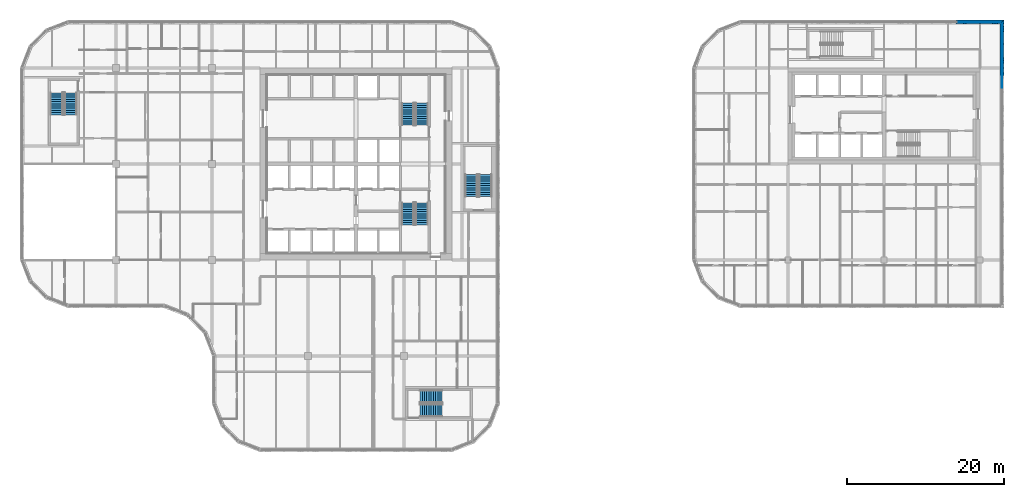
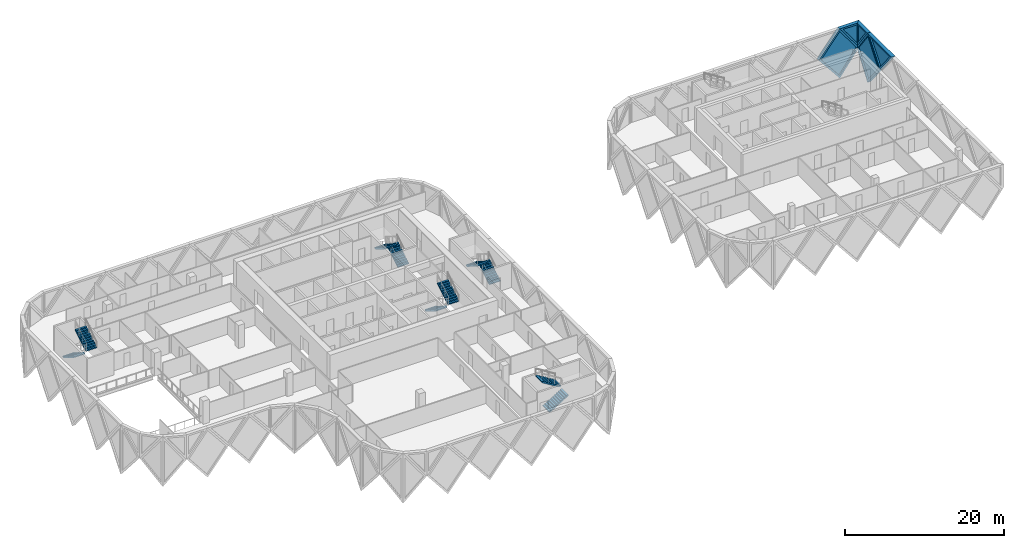
# One storey, part 21 of 24: 10 stair flights, 5 plates, 5 walls, 5 openings, 5 elements without a shape of their own.
"""IFC4 building model written with IfcOpenShell, lengths in metres."""

from ifc_helpers import new_model, si_unit, direction, frame, origin, place, context, subcontext, project, spatial, polyline, outline, extrude, faceted_brep, source, transform, mapped, material, layer, layer_set, type_object, element, fill, aggregate, save


model = new_model("IFC4")

# Units and contexts
model_context = context("Model", 3, precision=1e-05, world=origin(), true_north=direction((0.0, 1.0)))
body_context = subcontext(model_context, "Body", "Model", "MODEL_VIEW")
ifc_project = project(units=[si_unit("LENGTHUNIT", "METRE"), si_unit("AREAUNIT", "SQUARE_METRE"), si_unit("VOLUMEUNIT", "CUBIC_METRE"), si_unit("PLANEANGLEUNIT", "RADIAN"), si_unit("MASSUNIT", "GRAM", prefix="KILO")], contexts=[model_context])

# Site, building, storey
site_placement = place(None, origin())
site = spatial("IfcSite", under=ifc_project, at=site_placement, CompositionType="ELEMENT")
building_placement = place(site_placement, origin())
building = spatial("IfcBuilding", under=site, at=building_placement, Name="Tessera Gate Towers", CompositionType="ELEMENT")
storey_placement = place(building_placement, frame((0.0, 0.0, 102.800048828125)))
storey = spatial("IfcBuildingStorey", under=building, at=storey_placement, Name="L25", CompositionType="ELEMENT", Elevation=102.800048828125)

# Wall, opening, plate
ifc_material_1 = material(Name="Precast concrete C60/75 white", Category="concrete")
ifc_layer_1 = layer(ifc_material_1, 0.5)
ifc_layer_set_1 = layer_set([ifc_layer_1], Name="TS2 half tessera")
wall_type_1 = type_object("IfcWallType", Name="TS2 half tessera", PredefinedType="SOLIDWALL", material=ifc_layer_set_1)
shared_shape_1 = source(origin(), body_context, "Body", "SweptSolid", [
    extrude(outline(polyline([(3.050048828125, 0.0), (6.10009765625, 3.800048828125), (0.0, 3.800048828125), (3.050048828125, 0.0)])), frame((0.0, 0.25, 0.0), z_axis=(0.0, -1.0, 0.0), x_axis=(1.0, 0.0, 0.0)), (0.0, 0.0, 1.0), 0.5),
])
wall_1_placement = place(storey_placement, frame((124.800048828125, 45.75, 0.0), z_axis=(0.0, 0.0, 1.0), x_axis=(0.0, 1.0, 0.0)))
wall_1 = element("IfcWall", 1, at=wall_1_placement, inside=storey, type_object=wall_type_1, Name="Precast half tessera T2 TS2-0137", PredefinedType="SOLIDWALL", context=body_context, shape_type="MappedRepresentation", body=[
    mapped(shared_shape_1, transform((0.0, 0.0, 0.0), scale=1.0)),
])
shared_shape_2 = source(origin(), body_context, "Body", "SweptSolid", [
    extrude(outline(polyline([(3.050048828125, 0.3994140625), (5.578857421875, 3.550048828125), (0.521240234375, 3.550048828125), (3.050048828125, 0.3994140625)])), frame((0.0, 0.260009765625, 0.0), z_axis=(0.0, -1.0, 0.0), x_axis=(1.0, 0.0, 0.0)), (0.0, 0.0, 1.0), 0.52001953125),
])
opening_1_placement = place(wall_1_placement, origin())
opening_1 = element("IfcOpeningElement", 2, at=opening_1_placement, cuts=wall_1, Name="Opening T2-PL1-0243", PredefinedType="OPENING", context=body_context, shape_type="MappedRepresentation", body=[
    mapped(shared_shape_2, transform((0.0, 0.0, 0.0), scale=1.0)),
])
ifc_material_2 = material(Name="Low-e laminated glass", Category="glass")
ifc_layer_2 = layer(ifc_material_2, 0.06005859375)
ifc_layer_set_2 = layer_set([ifc_layer_2], Name="PL1 triangular pane")
plate_type_1 = type_object("IfcPlateType", Name="PL1 triangular pane", PredefinedType="SHEET", material=ifc_layer_set_2)
shared_shape_3 = source(origin(), body_context, "Body", "SweptSolid", [
    extrude(outline(polyline([(3.050048828125, 0.3994140625), (5.578857421875, 3.550048828125), (0.521240234375, 3.550048828125), (3.050048828125, 0.3994140625)])), frame((0.0, 0.030029296875, 0.0), z_axis=(0.0, -1.0, 0.0), x_axis=(1.0, 0.0, 0.0)), (0.0, 0.0, 1.0), 0.06005859375),
])
plate_1_placement = place(opening_1_placement, origin())
plate_1 = element("IfcPlate", 3, at=plate_1_placement, inside=storey, type_object=plate_type_1, Name="Glass pane T2 PL1-0243", PredefinedType="SHEET", context=body_context, shape_type="MappedRepresentation", body=[
    mapped(shared_shape_3, transform((0.0, 0.0, 0.0), scale=1.0)),
])
fill(opening_1, plate_1)

ifc_material_3 = material(Name="Precast concrete C60/75 white", Category="concrete")
ifc_layer_3 = layer(ifc_material_3, 0.5)
ifc_layer_set_3 = layer_set([ifc_layer_3], Name="TS1 tessera")
wall_type_2 = type_object("IfcWallType", Name="TS1 tessera", PredefinedType="SOLIDWALL", material=ifc_layer_set_3)
shared_shape_4 = source(origin(), body_context, "Body", "Brep", [
    faceted_brep([(3.050048828125, -0.25, 0.0), (5.85009765625, -0.25, 3.800048828125), (3.050048828125, -0.25, 7.60009765625), (0.0, -0.25, 3.800048828125), (0.0, 0.25, 3.800048828125), (3.050048828125, 0.25, 7.60009765625), (5.60009765625, 0.25, 4.139404296875), (5.60009765625, 0.25, 3.460693359375), (3.050048828125, 0.25, 0.0), (5.85009765625, 0.0, 3.800048828125)], [[[0, 1, 2, 3]], [[4, 5, 6, 7, 8]], [[8, 7, 9, 1, 0]], [[6, 5, 2, 1, 9]], [[5, 4, 3, 2]], [[4, 8, 0, 3]], [[9, 7, 6]]]),
])
wall_2_placement = place(storey_placement, frame((124.800048828125, 48.800048828125, -3.800048828125), z_axis=(0.0, 0.0, 1.0), x_axis=(0.0, 1.0, 0.0)))
wall_2 = element("IfcWall", 4, at=wall_2_placement, inside=storey, type_object=wall_type_2, Name="Precast tessera T2 TS1-0316", PredefinedType="SOLIDWALL", context=body_context, shape_type="MappedRepresentation", body=[
    mapped(shared_shape_4, transform((0.0, 0.0, 0.0), scale=1.0)),
])
shared_shape_5 = source(origin(), body_context, "Body", "SweptSolid", [
    extrude(outline(polyline([(3.04150390625, 0.409912109375), (5.53955078125, 3.800048828125), (3.04150390625, 7.18994140625), (0.320556640625, 3.800048828125), (3.04150390625, 0.409912109375)])), frame((0.0, 0.260009765625, 0.0), z_axis=(0.0, -1.0, 0.0), x_axis=(1.0, 0.0, 0.0)), (0.0, 0.0, 1.0), 0.52001953125),
])
opening_2_placement = place(wall_2_placement, origin())
opening_2 = element("IfcOpeningElement", 5, at=opening_2_placement, cuts=wall_2, Name="Opening T2-PL2-0586", PredefinedType="OPENING", context=body_context, shape_type="MappedRepresentation", body=[
    mapped(shared_shape_5, transform((0.0, 0.0, 0.0), scale=1.0)),
])
ifc_material_4 = material(Name="Low-e laminated glass", Category="glass")
ifc_layer_4 = layer(ifc_material_4, 0.06005859375)
ifc_layer_set_4 = layer_set([ifc_layer_4], Name="PL2 rhombic pane")
plate_type_2 = type_object("IfcPlateType", Name="PL2 rhombic pane", PredefinedType="SHEET", material=ifc_layer_set_4)
shared_shape_6 = source(origin(), body_context, "Body", "SweptSolid", [
    extrude(outline(polyline([(3.04150390625, 0.409912109375), (5.53955078125, 3.800048828125), (3.04150390625, 7.18994140625), (0.320556640625, 3.800048828125), (3.04150390625, 0.409912109375)])), frame((0.0, 0.030029296875, 0.0), z_axis=(0.0, -1.0, 0.0), x_axis=(1.0, 0.0, 0.0)), (0.0, 0.0, 1.0), 0.06005859375),
])
plate_2_placement = place(opening_2_placement, origin())
plate_2 = element("IfcPlate", 6, at=plate_2_placement, inside=storey, type_object=plate_type_2, Name="Glass pane T2 PL2-0586", PredefinedType="SHEET", context=body_context, shape_type="MappedRepresentation", body=[
    mapped(shared_shape_6, transform((0.0, 0.0, 0.0), scale=1.0)),
])
fill(opening_2, plate_2)

shared_shape_7 = source(origin(), body_context, "Body", "Brep", [
    faceted_brep([(2.800048828125, -0.25, 0.0), (5.85009765625, -0.25, 3.800048828125), (2.800048828125, -0.25, 7.60009765625), (0.0, -0.25, 3.800048828125), (0.25, 0.25, 4.139404296875), (2.800048828125, 0.25, 7.60009765625), (5.85009765625, 0.25, 3.800048828125), (2.800048828125, 0.25, 0.0), (0.25, 0.25, 3.460693359375), (0.0, 0.0, 3.800048828125)], [[[0, 1, 2, 3]], [[4, 5, 6, 7, 8]], [[7, 6, 1, 0]], [[6, 5, 2, 1]], [[5, 4, 9, 3, 2]], [[8, 7, 0, 3, 9]], [[8, 9, 4]]]),
])
wall_3_placement = place(storey_placement, frame((124.800048828125, 54.64990234375, -3.800048828125), z_axis=(0.0, 0.0, 1.0), x_axis=(-1.0, 0.0, 0.0)))
wall_3 = element("IfcWall", 7, at=wall_3_placement, inside=storey, type_object=wall_type_2, Name="Precast tessera T2 TS1-0317", PredefinedType="SOLIDWALL", context=body_context, shape_type="MappedRepresentation", body=[
    mapped(shared_shape_7, transform((0.0, 0.0, 0.0), scale=1.0)),
])
shared_shape_8 = source(origin(), body_context, "Body", "SweptSolid", [
    extrude(outline(polyline([(2.808349609375, 0.409912109375), (5.529541015625, 3.800048828125), (2.808349609375, 7.18994140625), (0.310546875, 3.800048828125), (2.808349609375, 0.409912109375)])), frame((0.0, 0.260009765625, 0.0), z_axis=(0.0, -1.0, 0.0), x_axis=(1.0, 0.0, 0.0)), (0.0, 0.0, 1.0), 0.52001953125),
])
opening_3_placement = place(wall_3_placement, origin())
opening_3 = element("IfcOpeningElement", 8, at=opening_3_placement, cuts=wall_3, Name="Opening T2-PL2-0587", PredefinedType="OPENING", context=body_context, shape_type="MappedRepresentation", body=[
    mapped(shared_shape_8, transform((0.0, 0.0, 0.0), scale=1.0)),
])
shared_shape_9 = source(origin(), body_context, "Body", "SweptSolid", [
    extrude(outline(polyline([(2.808349609375, 0.409912109375), (5.529541015625, 3.800048828125), (2.808349609375, 7.18994140625), (0.310546875, 3.800048828125), (2.808349609375, 0.409912109375)])), frame((0.0, 0.030029296875, 0.0), z_axis=(0.0, -1.0, 0.0), x_axis=(1.0, 0.0, 0.0)), (0.0, 0.0, 1.0), 0.06005859375),
])
plate_3_placement = place(opening_3_placement, origin())
plate_3 = element("IfcPlate", 9, at=plate_3_placement, inside=storey, type_object=plate_type_2, Name="Glass pane T2 PL2-0587", PredefinedType="SHEET", context=body_context, shape_type="MappedRepresentation", body=[
    mapped(shared_shape_9, transform((0.0, 0.0, 0.0), scale=1.0)),
])
fill(opening_3, plate_3)

ifc_material_5 = material(Name="Precast concrete C60/75 white", Category="concrete")
ifc_layer_5 = layer(ifc_material_5, 0.5)
ifc_layer_set_5 = layer_set([ifc_layer_5], Name="TS3 corner tessera")
wall_type_3 = type_object("IfcWallType", Name="TS3 corner tessera", PredefinedType="SOLIDWALL", material=ifc_layer_set_5)
shared_shape_10 = source(origin(), body_context, "Body", "Brep", [
    faceted_brep([(2.800048828125, -0.25, 0.0), (3.050048828125, -0.25, 0.339111328125), (3.050048828125, -0.25, 3.800048828125), (0.0, -0.25, 3.800048828125), (0.0, 0.25, 3.800048828125), (2.550048828125, 0.25, 3.800048828125), (2.550048828125, 0.25, 0.33935546875), (2.800048828125, 0.0, 0.0)], [[[0, 1, 2, 3]], [[4, 5, 6]], [[1, 0, 7]], [[5, 4, 3, 2]], [[4, 6, 7, 0, 3]], [[1, 7, 6, 5, 2]]]),
])
wall_4_placement = place(storey_placement, frame((124.800048828125, 51.85009765625, 0.0), z_axis=(0.0, 0.0, 1.0), x_axis=(0.0, 1.0, 0.0)))
wall_4 = element("IfcWall", 10, at=wall_4_placement, inside=storey, type_object=wall_type_3, Name="Precast corner tessera T2 TS3-0383", PredefinedType="SOLIDWALL", context=body_context, shape_type="MappedRepresentation", body=[
    mapped(shared_shape_10, transform((0.0, 0.0, 0.0), scale=1.0)),
])
shared_shape_11 = source(origin(), body_context, "Body", "SweptSolid", [
    extrude(outline(polyline([(2.60009765625, 3.550048828125), (0.49462890625, 3.550048828125), (2.60009765625, 0.69287109375), (2.60009765625, 3.550048828125)])), frame((0.0, 0.260009765625, 0.0), z_axis=(0.0, -1.0, 0.0), x_axis=(1.0, 0.0, 0.0)), (0.0, 0.0, 1.0), 0.52001953125),
])
opening_4_placement = place(wall_4_placement, origin())
opening_4 = element("IfcOpeningElement", 11, at=opening_4_placement, cuts=wall_4, Name="Opening T2-PL1-0244", PredefinedType="OPENING", context=body_context, shape_type="MappedRepresentation", body=[
    mapped(shared_shape_11, transform((0.0, 0.0, 0.0), scale=1.0)),
])
shared_shape_12 = source(origin(), body_context, "Body", "SweptSolid", [
    extrude(outline(polyline([(2.60009765625, 3.550048828125), (0.49462890625, 3.550048828125), (2.60009765625, 0.69287109375), (2.60009765625, 3.550048828125)])), frame((0.0, 0.030029296875, 0.0), z_axis=(0.0, -1.0, 0.0), x_axis=(1.0, 0.0, 0.0)), (0.0, 0.0, 1.0), 0.06005859375),
])
plate_4_placement = place(opening_4_placement, origin())
plate_4 = element("IfcPlate", 12, at=plate_4_placement, inside=storey, type_object=plate_type_1, Name="Glass pane T2 PL1-0244", PredefinedType="SHEET", context=body_context, shape_type="MappedRepresentation", body=[
    mapped(shared_shape_12, transform((0.0, 0.0, 0.0), scale=1.0)),
])
fill(opening_4, plate_4)

shared_shape_13 = source(origin(), body_context, "Body", "Brep", [
    faceted_brep([(0.25, -0.25, 0.0), (3.050048828125, -0.25, 3.800048828125), (0.0, -0.25, 3.800048828125), (0.0, -0.25, 0.33935546875), (0.5, 0.25, 3.800048828125), (3.050048828125, 0.25, 3.800048828125), (0.5, 0.25, 0.33935546875), (0.25, 0.0, 0.0)], [[[0, 1, 2, 3]], [[4, 5, 6]], [[6, 5, 1, 0, 7]], [[5, 4, 2, 1]], [[7, 0, 3]], [[6, 7, 3, 2, 4]]]),
])
wall_5_placement = place(storey_placement, frame((125.050048828125, 54.64990234375, 0.0), z_axis=(0.0, 0.0, 1.0), x_axis=(-1.0, 0.0, 0.0)))
wall_5 = element("IfcWall", 13, at=wall_5_placement, inside=storey, type_object=wall_type_3, Name="Precast corner tessera T2 TS3-0384", PredefinedType="SOLIDWALL", context=body_context, shape_type="MappedRepresentation", body=[
    mapped(shared_shape_13, transform((0.0, 0.0, 0.0), scale=1.0)),
])
shared_shape_14 = source(origin(), body_context, "Body", "SweptSolid", [
    extrude(outline(polyline([(0.449951171875, 0.69287109375), (2.55517578125, 3.550048828125), (0.449951171875, 3.550048828125), (0.449951171875, 0.69287109375)])), frame((0.0, 0.260009765625, 0.0), z_axis=(0.0, -1.0, 0.0), x_axis=(1.0, 0.0, 0.0)), (0.0, 0.0, 1.0), 0.52001953125),
])
opening_5_placement = place(wall_5_placement, origin())
opening_5 = element("IfcOpeningElement", 14, at=opening_5_placement, cuts=wall_5, Name="Opening T2-PL1-0245", PredefinedType="OPENING", context=body_context, shape_type="MappedRepresentation", body=[
    mapped(shared_shape_14, transform((0.0, 0.0, 0.0), scale=1.0)),
])
shared_shape_15 = source(origin(), body_context, "Body", "SweptSolid", [
    extrude(outline(polyline([(0.449951171875, 0.69287109375), (2.55517578125, 3.550048828125), (0.449951171875, 3.550048828125), (0.449951171875, 0.69287109375)])), frame((0.0, 0.030029296875, 0.0), z_axis=(0.0, -1.0, 0.0), x_axis=(1.0, 0.0, 0.0)), (0.0, 0.0, 1.0), 0.06005859375),
])
plate_5_placement = place(opening_5_placement, origin())
plate_5 = element("IfcPlate", 15, at=plate_5_placement, inside=storey, type_object=plate_type_1, Name="Glass pane T2 PL1-0245", PredefinedType="SHEET", context=body_context, shape_type="MappedRepresentation", body=[
    mapped(shared_shape_15, transform((0.0, 0.0, 0.0), scale=1.0)),
])
fill(opening_5, plate_5)

# Stair, stair flights
ifc_material_6 = material(Name="Concrete C40/50", Category="concrete")
stair_type_1 = type_object("IfcStairType", Name="EXIT STAIR ST1 1600", PredefinedType="HALF_TURN_STAIR", material=ifc_material_6)
stair_1_placement = place(storey_placement, origin())
stair_1 = element("IfcStair", 16, at=stair_1_placement, inside=storey, type_object=stair_type_1, Name="L25 Protected Exit Stair ST1", PredefinedType="HALF_TURN_STAIR")
ifc_material_7 = material(Name="Concrete C40/50", Category="concrete")
stair_flight_type_1 = type_object("IfcStairFlightType", Name="EXIT STAIR FLIGHT ST1 1600", PredefinedType="STRAIGHT", material=ifc_material_7)
stair_flight_1_placement = place(storey_placement, frame((49.27490234375, 31.675048828125, 0.0), z_axis=(0.0, 0.0, 1.0), x_axis=(0.0, -1.0, 0.0)))
stair_flight_1 = element("IfcStairFlight", 17, at=stair_flight_1_placement, type_object=stair_flight_type_1, Name="ST1 flight 1", NumberOfRisers=11, NumberOfTreads=10, PredefinedType="STRAIGHT", RiserHeight=0.172727273, TreadLength=0.28, context=body_context, shape_type="SweptSolid", body=[
    extrude(outline(polyline([(0.0, 0.0), (0.0, 0.172607421875), (0.280029296875, 0.172607421875), (0.280029296875, 0.345458984375), (0.56005859375, 0.345458984375), (0.56005859375, 0.51806640625), (0.840087890625, 0.51806640625), (0.840087890625, 0.69091796875), (1.1201171875, 0.69091796875), (1.1201171875, 0.863525390625), (1.39990234375, 0.863525390625), (1.39990234375, 1.036376953125), (1.679931640625, 1.036376953125), (1.679931640625, 1.208984375), (1.9599609375, 1.208984375), (1.9599609375, 1.3818359375), (2.239990234375, 1.3818359375), (2.239990234375, 1.554443359375), (2.52001953125, 1.554443359375), (2.52001953125, 1.727294921875), (2.800048828125, 1.727294921875), (2.800048828125, 1.89990234375), (2.800048828125, 1.551025390625), (0.285400390625, 0.0), (0.0, 0.0)])), frame((0.0, 0.800048828125, 0.0), z_axis=(0.0, -1.0, 0.0), x_axis=(1.0, 0.0, 0.0)), (0.0, 0.0, 1.0), 1.60009765625),
])
stair_flight_2_placement = place(storey_placement, frame((51.074951171875, 28.875, 1.89990234375), z_axis=(0.0, 0.0, 1.0), x_axis=(0.0, 1.0, 0.0)))
stair_flight_2 = element("IfcStairFlight", 18, at=stair_flight_2_placement, type_object=stair_flight_type_1, Name="ST1 flight 2", NumberOfRisers=11, NumberOfTreads=10, PredefinedType="STRAIGHT", RiserHeight=0.172727273, TreadLength=0.28, context=body_context, shape_type="SweptSolid", body=[
    extrude(outline(polyline([(0.0, 0.0), (0.0, 0.172607421875), (0.280029296875, 0.172607421875), (0.280029296875, 0.345458984375), (0.56005859375, 0.345458984375), (0.56005859375, 0.51806640625), (0.840087890625, 0.51806640625), (0.840087890625, 0.69091796875), (1.1201171875, 0.69091796875), (1.1201171875, 0.863525390625), (1.39990234375, 0.863525390625), (1.39990234375, 1.036376953125), (1.679931640625, 1.036376953125), (1.679931640625, 1.208984375), (1.9599609375, 1.208984375), (1.9599609375, 1.3818359375), (2.239990234375, 1.3818359375), (2.239990234375, 1.554443359375), (2.52001953125, 1.554443359375), (2.52001953125, 1.727294921875), (2.800048828125, 1.727294921875), (2.800048828125, 1.89990234375), (2.800048828125, 1.551025390625), (0.285400390625, 0.0), (0.0, 0.0)])), frame((0.0, 0.800048828125, 0.0), z_axis=(0.0, -1.0, 0.0), x_axis=(1.0, 0.0, 0.0)), (0.0, 0.0, 1.0), 1.60009765625),
])
aggregate(stair_1, [stair_flight_1, stair_flight_2])

ifc_material_8 = material(Name="Concrete C40/50", Category="concrete")
stair_type_2 = type_object("IfcStairType", Name="EXIT STAIR ST2 1600", PredefinedType="HALF_TURN_STAIR", material=ifc_material_8)
stair_2_placement = place(storey_placement, origin())
stair_2 = element("IfcStair", 19, at=stair_2_placement, inside=storey, type_object=stair_type_2, Name="L25 Protected Exit Stair ST2", PredefinedType="HALF_TURN_STAIR")
ifc_material_9 = material(Name="Concrete C40/50", Category="concrete")
stair_flight_type_2 = type_object("IfcStairFlightType", Name="EXIT STAIR FLIGHT ST2 1600", PredefinedType="STRAIGHT", material=ifc_material_9)
stair_flight_3_placement = place(storey_placement, frame((51.074951171875, 41.52490234375, 0.0), z_axis=(0.0, 0.0, 1.0), x_axis=(0.0, 1.0, 0.0)))
stair_flight_3 = element("IfcStairFlight", 20, at=stair_flight_3_placement, type_object=stair_flight_type_2, Name="ST2 flight 1", NumberOfRisers=11, NumberOfTreads=10, PredefinedType="STRAIGHT", RiserHeight=0.172727273, TreadLength=0.28, context=body_context, shape_type="SweptSolid", body=[
    extrude(outline(polyline([(0.0, 0.0), (0.0, 0.172607421875), (0.280029296875, 0.172607421875), (0.280029296875, 0.345458984375), (0.56005859375, 0.345458984375), (0.56005859375, 0.51806640625), (0.840087890625, 0.51806640625), (0.840087890625, 0.69091796875), (1.1201171875, 0.69091796875), (1.1201171875, 0.863525390625), (1.39990234375, 0.863525390625), (1.39990234375, 1.036376953125), (1.679931640625, 1.036376953125), (1.679931640625, 1.208984375), (1.9599609375, 1.208984375), (1.9599609375, 1.3818359375), (2.239990234375, 1.3818359375), (2.239990234375, 1.554443359375), (2.52001953125, 1.554443359375), (2.52001953125, 1.727294921875), (2.800048828125, 1.727294921875), (2.800048828125, 1.89990234375), (2.800048828125, 1.551025390625), (0.285400390625, 0.0), (0.0, 0.0)])), frame((0.0, 0.800048828125, 0.0), z_axis=(0.0, -1.0, 0.0), x_axis=(1.0, 0.0, 0.0)), (0.0, 0.0, 1.0), 1.60009765625),
])
stair_flight_4_placement = place(storey_placement, frame((49.27490234375, 44.324951171875, 1.89990234375), z_axis=(0.0, 0.0, 1.0), x_axis=(0.0, -1.0, 0.0)))
stair_flight_4 = element("IfcStairFlight", 21, at=stair_flight_4_placement, type_object=stair_flight_type_2, Name="ST2 flight 2", NumberOfRisers=11, NumberOfTreads=10, PredefinedType="STRAIGHT", RiserHeight=0.172727273, TreadLength=0.28, context=body_context, shape_type="SweptSolid", body=[
    extrude(outline(polyline([(0.0, 0.0), (0.0, 0.172607421875), (0.280029296875, 0.172607421875), (0.280029296875, 0.345458984375), (0.56005859375, 0.345458984375), (0.56005859375, 0.51806640625), (0.840087890625, 0.51806640625), (0.840087890625, 0.69091796875), (1.1201171875, 0.69091796875), (1.1201171875, 0.863525390625), (1.39990234375, 0.863525390625), (1.39990234375, 1.036376953125), (1.679931640625, 1.036376953125), (1.679931640625, 1.208984375), (1.9599609375, 1.208984375), (1.9599609375, 1.3818359375), (2.239990234375, 1.3818359375), (2.239990234375, 1.554443359375), (2.52001953125, 1.554443359375), (2.52001953125, 1.727294921875), (2.800048828125, 1.727294921875), (2.800048828125, 1.89990234375), (2.800048828125, 1.551025390625), (0.285400390625, 0.0), (0.0, 0.0)])), frame((0.0, 0.800048828125, 0.0), z_axis=(0.0, -1.0, 0.0), x_axis=(1.0, 0.0, 0.0)), (0.0, 0.0, 1.0), 1.60009765625),
])
aggregate(stair_2, [stair_flight_3, stair_flight_4])

ifc_material_10 = material(Name="Concrete C40/50", Category="concrete")
stair_type_3 = type_object("IfcStairType", Name="EXIT STAIR ST3 1600", PredefinedType="HALF_TURN_STAIR", material=ifc_material_10)
stair_3_placement = place(storey_placement, origin())
stair_3 = element("IfcStair", 22, at=stair_3_placement, inside=storey, type_object=stair_type_3, Name="L25 West Exit Stair ST3", PredefinedType="HALF_TURN_STAIR")
ifc_material_11 = material(Name="Concrete C40/50", Category="concrete")
stair_flight_type_3 = type_object("IfcStairFlightType", Name="EXIT STAIR FLIGHT ST3 1600", PredefinedType="STRAIGHT", material=ifc_material_11)
stair_flight_5_placement = place(storey_placement, frame((4.64990234375, 45.64990234375, 0.0), z_axis=(0.0, 0.0, 1.0), x_axis=(0.0, -1.0, 0.0)))
stair_flight_5 = element("IfcStairFlight", 23, at=stair_flight_5_placement, type_object=stair_flight_type_3, Name="ST3 flight 1", NumberOfRisers=11, NumberOfTreads=10, PredefinedType="STRAIGHT", RiserHeight=0.172727273, TreadLength=0.28, context=body_context, shape_type="SweptSolid", body=[
    extrude(outline(polyline([(0.0, 0.0), (0.0, 0.172607421875), (0.280029296875, 0.172607421875), (0.280029296875, 0.345458984375), (0.56005859375, 0.345458984375), (0.56005859375, 0.51806640625), (0.840087890625, 0.51806640625), (0.840087890625, 0.69091796875), (1.1201171875, 0.69091796875), (1.1201171875, 0.863525390625), (1.39990234375, 0.863525390625), (1.39990234375, 1.036376953125), (1.679931640625, 1.036376953125), (1.679931640625, 1.208984375), (1.9599609375, 1.208984375), (1.9599609375, 1.3818359375), (2.239990234375, 1.3818359375), (2.239990234375, 1.554443359375), (2.52001953125, 1.554443359375), (2.52001953125, 1.727294921875), (2.800048828125, 1.727294921875), (2.800048828125, 1.89990234375), (2.800048828125, 1.551025390625), (0.285400390625, 0.0), (0.0, 0.0)])), frame((0.0, 0.800048828125, 0.0), z_axis=(0.0, -1.0, 0.0), x_axis=(1.0, 0.0, 0.0)), (0.0, 0.0, 1.0), 1.60009765625),
])
stair_flight_6_placement = place(storey_placement, frame((6.449951171875, 42.85009765625, 1.89990234375), z_axis=(0.0, 0.0, 1.0), x_axis=(0.0, 1.0, 0.0)))
stair_flight_6 = element("IfcStairFlight", 24, at=stair_flight_6_placement, type_object=stair_flight_type_3, Name="ST3 flight 2", NumberOfRisers=11, NumberOfTreads=10, PredefinedType="STRAIGHT", RiserHeight=0.172727273, TreadLength=0.28, context=body_context, shape_type="SweptSolid", body=[
    extrude(outline(polyline([(0.0, 0.0), (0.0, 0.172607421875), (0.280029296875, 0.172607421875), (0.280029296875, 0.345458984375), (0.56005859375, 0.345458984375), (0.56005859375, 0.51806640625), (0.840087890625, 0.51806640625), (0.840087890625, 0.69091796875), (1.1201171875, 0.69091796875), (1.1201171875, 0.863525390625), (1.39990234375, 0.863525390625), (1.39990234375, 1.036376953125), (1.679931640625, 1.036376953125), (1.679931640625, 1.208984375), (1.9599609375, 1.208984375), (1.9599609375, 1.3818359375), (2.239990234375, 1.3818359375), (2.239990234375, 1.554443359375), (2.52001953125, 1.554443359375), (2.52001953125, 1.727294921875), (2.800048828125, 1.727294921875), (2.800048828125, 1.89990234375), (2.800048828125, 1.551025390625), (0.285400390625, 0.0), (0.0, 0.0)])), frame((0.0, 0.800048828125, 0.0), z_axis=(0.0, -1.0, 0.0), x_axis=(1.0, 0.0, 0.0)), (0.0, 0.0, 1.0), 1.60009765625),
])
aggregate(stair_3, [stair_flight_5, stair_flight_6])

ifc_material_12 = material(Name="Concrete C40/50", Category="concrete")
stair_type_4 = type_object("IfcStairType", Name="EXIT STAIR ST4 1600", PredefinedType="HALF_TURN_STAIR", material=ifc_material_12)
stair_4_placement = place(storey_placement, origin())
stair_4 = element("IfcStair", 25, at=stair_4_placement, inside=storey, type_object=stair_type_4, Name="L25 South Exit Stair ST4", PredefinedType="HALF_TURN_STAIR")
ifc_material_13 = material(Name="Concrete C40/50", Category="concrete")
stair_flight_type_4 = type_object("IfcStairFlightType", Name="EXIT STAIR FLIGHT ST4 1600", PredefinedType="STRAIGHT", material=ifc_material_13)
stair_flight_7_placement = place(storey_placement, frame((50.85009765625, 5.25, 0.0), z_axis=(0.0, 0.0, 1.0), x_axis=(1.0, 0.0, 0.0)))
stair_flight_7 = element("IfcStairFlight", 26, at=stair_flight_7_placement, type_object=stair_flight_type_4, Name="ST4 flight 1", NumberOfRisers=11, NumberOfTreads=10, PredefinedType="STRAIGHT", RiserHeight=0.172727273, TreadLength=0.28, context=body_context, shape_type="SweptSolid", body=[
    extrude(outline(polyline([(0.0, 0.0), (0.0, 0.172607421875), (0.280029296875, 0.172607421875), (0.280029296875, 0.345458984375), (0.56005859375, 0.345458984375), (0.56005859375, 0.51806640625), (0.840087890625, 0.51806640625), (0.840087890625, 0.69091796875), (1.1201171875, 0.69091796875), (1.1201171875, 0.863525390625), (1.39990234375, 0.863525390625), (1.39990234375, 1.036376953125), (1.679931640625, 1.036376953125), (1.679931640625, 1.208984375), (1.9599609375, 1.208984375), (1.9599609375, 1.3818359375), (2.239990234375, 1.3818359375), (2.239990234375, 1.554443359375), (2.52001953125, 1.554443359375), (2.52001953125, 1.727294921875), (2.800048828125, 1.727294921875), (2.800048828125, 1.89990234375), (2.800048828125, 1.551025390625), (0.285400390625, 0.0), (0.0, 0.0)])), frame((0.0, 0.800048828125, 0.0), z_axis=(0.0, -1.0, 0.0), x_axis=(1.0, 0.0, 0.0)), (0.0, 0.0, 1.0), 1.60009765625),
])
stair_flight_8_placement = place(storey_placement, frame((53.64990234375, 7.050048828125, 1.89990234375), z_axis=(0.0, 0.0, 1.0), x_axis=(-1.0, 0.0, 0.0)))
stair_flight_8 = element("IfcStairFlight", 27, at=stair_flight_8_placement, type_object=stair_flight_type_4, Name="ST4 flight 2", NumberOfRisers=11, NumberOfTreads=10, PredefinedType="STRAIGHT", RiserHeight=0.172727273, TreadLength=0.28, context=body_context, shape_type="SweptSolid", body=[
    extrude(outline(polyline([(0.0, 0.0), (0.0, 0.172607421875), (0.280029296875, 0.172607421875), (0.280029296875, 0.345458984375), (0.56005859375, 0.345458984375), (0.56005859375, 0.51806640625), (0.840087890625, 0.51806640625), (0.840087890625, 0.69091796875), (1.1201171875, 0.69091796875), (1.1201171875, 0.863525390625), (1.39990234375, 0.863525390625), (1.39990234375, 1.036376953125), (1.679931640625, 1.036376953125), (1.679931640625, 1.208984375), (1.9599609375, 1.208984375), (1.9599609375, 1.3818359375), (2.239990234375, 1.3818359375), (2.239990234375, 1.554443359375), (2.52001953125, 1.554443359375), (2.52001953125, 1.727294921875), (2.800048828125, 1.727294921875), (2.800048828125, 1.89990234375), (2.800048828125, 1.551025390625), (0.285400390625, 0.0), (0.0, 0.0)])), frame((0.0, 0.800048828125, 0.0), z_axis=(0.0, -1.0, 0.0), x_axis=(1.0, 0.0, 0.0)), (0.0, 0.0, 1.0), 1.60009765625),
])
aggregate(stair_4, [stair_flight_7, stair_flight_8])

ifc_material_14 = material(Name="Concrete C40/50", Category="concrete")
stair_type_5 = type_object("IfcStairType", Name="EXIT STAIR ST5 1600", PredefinedType="HALF_TURN_STAIR", material=ifc_material_14)
stair_5_placement = place(storey_placement, origin())
stair_5 = element("IfcStair", 28, at=stair_5_placement, inside=storey, type_object=stair_type_5, Name="L25 East Exit Stair ST5", PredefinedType="HALF_TURN_STAIR")
ifc_material_15 = material(Name="Concrete C40/50", Category="concrete")
stair_flight_type_5 = type_object("IfcStairFlightType", Name="EXIT STAIR FLIGHT ST5 1600", PredefinedType="STRAIGHT", material=ifc_material_15)
stair_flight_9_placement = place(storey_placement, frame((59.14990234375, 32.449951171875, 0.0), z_axis=(0.0, 0.0, 1.0), x_axis=(0.0, 1.0, 0.0)))
stair_flight_9 = element("IfcStairFlight", 29, at=stair_flight_9_placement, type_object=stair_flight_type_5, Name="ST5 flight 1", NumberOfRisers=11, NumberOfTreads=10, PredefinedType="STRAIGHT", RiserHeight=0.172727273, TreadLength=0.28, context=body_context, shape_type="SweptSolid", body=[
    extrude(outline(polyline([(0.0, 0.0), (0.0, 0.172607421875), (0.280029296875, 0.172607421875), (0.280029296875, 0.345458984375), (0.56005859375, 0.345458984375), (0.56005859375, 0.51806640625), (0.840087890625, 0.51806640625), (0.840087890625, 0.69091796875), (1.1201171875, 0.69091796875), (1.1201171875, 0.863525390625), (1.39990234375, 0.863525390625), (1.39990234375, 1.036376953125), (1.679931640625, 1.036376953125), (1.679931640625, 1.208984375), (1.9599609375, 1.208984375), (1.9599609375, 1.3818359375), (2.239990234375, 1.3818359375), (2.239990234375, 1.554443359375), (2.52001953125, 1.554443359375), (2.52001953125, 1.727294921875), (2.800048828125, 1.727294921875), (2.800048828125, 1.89990234375), (2.800048828125, 1.551025390625), (0.285400390625, 0.0), (0.0, 0.0)])), frame((0.0, 0.800048828125, 0.0), z_axis=(0.0, -1.0, 0.0), x_axis=(1.0, 0.0, 0.0)), (0.0, 0.0, 1.0), 1.60009765625),
])
stair_flight_10_placement = place(storey_placement, frame((57.35009765625, 35.25, 1.89990234375), z_axis=(0.0, 0.0, 1.0), x_axis=(0.0, -1.0, 0.0)))
stair_flight_10 = element("IfcStairFlight", 30, at=stair_flight_10_placement, type_object=stair_flight_type_5, Name="ST5 flight 2", NumberOfRisers=11, NumberOfTreads=10, PredefinedType="STRAIGHT", RiserHeight=0.172727273, TreadLength=0.28, context=body_context, shape_type="SweptSolid", body=[
    extrude(outline(polyline([(0.0, 0.0), (0.0, 0.172607421875), (0.280029296875, 0.172607421875), (0.280029296875, 0.345458984375), (0.56005859375, 0.345458984375), (0.56005859375, 0.51806640625), (0.840087890625, 0.51806640625), (0.840087890625, 0.69091796875), (1.1201171875, 0.69091796875), (1.1201171875, 0.863525390625), (1.39990234375, 0.863525390625), (1.39990234375, 1.036376953125), (1.679931640625, 1.036376953125), (1.679931640625, 1.208984375), (1.9599609375, 1.208984375), (1.9599609375, 1.3818359375), (2.239990234375, 1.3818359375), (2.239990234375, 1.554443359375), (2.52001953125, 1.554443359375), (2.52001953125, 1.727294921875), (2.800048828125, 1.727294921875), (2.800048828125, 1.89990234375), (2.800048828125, 1.551025390625), (0.285400390625, 0.0), (0.0, 0.0)])), frame((0.0, 0.800048828125, 0.0), z_axis=(0.0, -1.0, 0.0), x_axis=(1.0, 0.0, 0.0)), (0.0, 0.0, 1.0), 1.60009765625),
])
aggregate(stair_5, [stair_flight_9, stair_flight_10])

save(model, "model.ifc")
